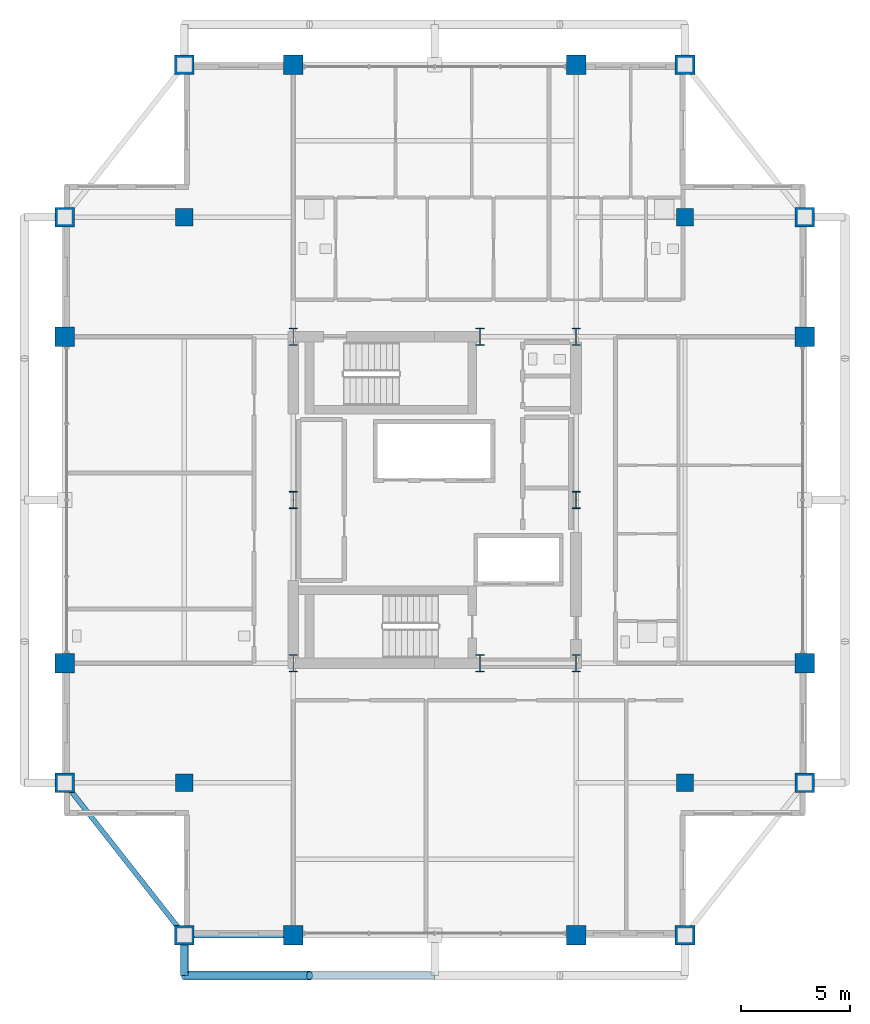
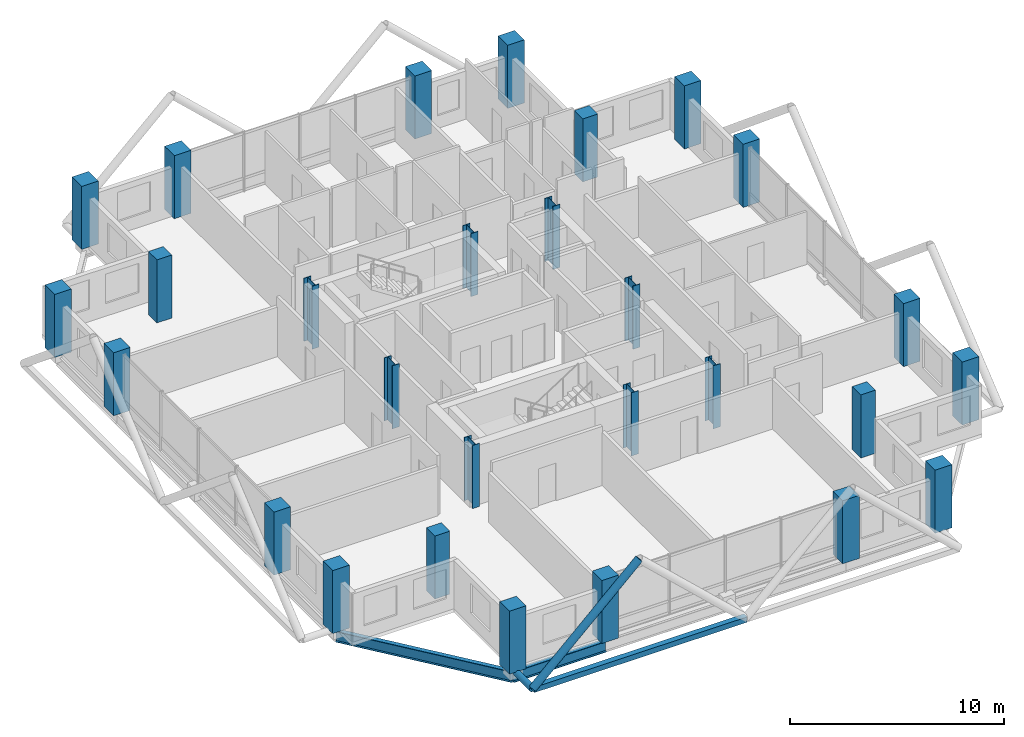
# One storey, part 1 of 24: 28 columns, 3 members, 2 beams.
"""IFC4 building model written with IfcOpenShell, lengths in metres."""

from ifc_helpers import new_model, si_unit, direction, frame, origin, origin_2d, place, context, subcontext, project, spatial, rectangle, hollow_rectangle, hollow_circle, i_section, extrude, material, material_profile, profile_set, type_object, element, save


model = new_model("IFC4")

# Units and contexts
model_context = context("Model", 3, precision=1e-05, world=origin(), true_north=direction((0.0, 1.0)))
body_context = subcontext(model_context, "Body", "Model", "MODEL_VIEW")
ifc_project = project(units=[si_unit("LENGTHUNIT", "METRE"), si_unit("AREAUNIT", "SQUARE_METRE"), si_unit("VOLUMEUNIT", "CUBIC_METRE"), si_unit("PLANEANGLEUNIT", "RADIAN"), si_unit("MASSUNIT", "GRAM", prefix="KILO")], contexts=[model_context])

# Site, building, storey
site_placement = place(None, origin())
site = spatial("IfcSite", under=ifc_project, at=site_placement, CompositionType="ELEMENT")
building_placement = place(site_placement, origin())
building = spatial("IfcBuilding", under=site, at=building_placement, Name="Barlavira Tower and Art Museum", CompositionType="ELEMENT")
storey_placement = place(building_placement, frame((0.0, 0.0, 283.5)))
storey = spatial("IfcBuildingStorey", under=building, at=storey_placement, Name="L74", CompositionType="ELEMENT", Elevation=283.5)

# Columns
ifc_material_1 = material(Name="Steel S355", Category="steel")
ifc_material_profile_1 = material_profile(ifc_material_1, i_section(OverallWidth=0.382080078125, OverallDepth=0.785888671875, WebThickness=0.02001953125, FlangeThickness=0.032958984375, at=origin_2d()), Name="W760x314.0")
ifc_profile_set_1 = profile_set([ifc_material_profile_1], Name="Steel S355")
column_type_1 = type_object("IfcColumnType", Name="Core Composite Column W760x314 Steel S355", PredefinedType="COLUMN", material=ifc_profile_set_1)
for number, where, z_axis, x_axis, name in (
    (1, (-6.5, -7.5, 0.0), (0.0, 0.0, 1.0), (1.0, 0.0, 0.0), "L74 Column CC-L74-C1"),
    (2, (2.080078125, -7.5, 0.0), (0.0, 0.0, 1.0), (1.0, 0.0, 0.0), "L74 Column CC-L74-C2"),
    (3, (6.5, -7.5, 0.0), (0.0, 0.0, 1.0), (1.0, 0.0, 0.0), "L74 Column CC-L74-C3"),
    (4, (-6.5, 0.0, 0.0), (0.0, 0.0, 1.0), (1.0, 0.0, 0.0), "L74 Column CC-L74-C4"),
    (5, (6.5, 0.0, 0.0), (0.0, 0.0, 1.0), (1.0, 0.0, 0.0), "L74 Column CC-L74-C5"),
    (6, (-6.5, 7.5, 0.0), (0.0, 0.0, 1.0), (1.0, 0.0, 0.0), "L74 Column CC-L74-C6"),
    (7, (2.080078125, 7.5, 0.0), (0.0, 0.0, 1.0), (1.0, 0.0, 0.0), "L74 Column CC-L74-C7"),
    (8, (6.5, 7.5, 0.0), (0.0, 0.0, 1.0), (1.0, 0.0, 0.0), "L74 Column CC-L74-C8"),
):
    element("IfcColumn", number, at=place(storey_placement, frame(where, z_axis=z_axis, x_axis=x_axis)), inside=storey, type_object=column_type_1, Name=name, PredefinedType="COLUMN", context=body_context, shape_type="SweptSolid", body=[
        extrude(i_section(OverallWidth=0.382080078125, OverallDepth=0.785888671875, WebThickness=0.02001953125, FlangeThickness=0.032958984375, at=origin_2d()), origin(), (0.0, 0.0, 1.0), 3.60009765625),
    ])
ifc_material_2 = material(Name="Concrete C50", Category="concrete")
ifc_material_profile_2 = material_profile(ifc_material_2, rectangle(XDim=0.89990234375, YDim=0.89990234375, at=origin_2d()), Name="RC-COL 900x900")
ifc_profile_set_2 = profile_set([ifc_material_profile_2], Name="Concrete C50")
column_type_2 = type_object("IfcColumnType", Name="Perimeter Mega Column 900x900 Concrete C50", PredefinedType="USERDEFINED", material=ifc_profile_set_2)
for number, where, z_axis, x_axis, name in (
    (9, (-11.5, -20.0, 0.0), (0.0, 0.0, 1.0), (1.0, 0.0, 0.0), "L74 Column MC-L74-M01"),
    (10, (-6.5, -20.0, 0.0), (0.0, 0.0, 1.0), (1.0, 0.0, 0.0), "L74 Column MC-L74-M02"),
    (11, (6.5, -20.0, 0.0), (0.0, 0.0, 1.0), (1.0, 0.0, 0.0), "L74 Column MC-L74-M03"),
    (12, (11.5, -20.0, 0.0), (0.0, 0.0, 1.0), (1.0, 0.0, 0.0), "L74 Column MC-L74-M04"),
    (13, (17.0, -13.0, 0.0), (0.0, 0.0, 1.0), (1.0, 0.0, 0.0), "L74 Column MC-L74-M05"),
    (14, (17.0, -7.5, 0.0), (0.0, 0.0, 1.0), (1.0, 0.0, 0.0), "L74 Column MC-L74-M06"),
    (15, (17.0, 7.5, 0.0), (0.0, 0.0, 1.0), (1.0, 0.0, 0.0), "L74 Column MC-L74-M07"),
    (16, (17.0, 13.0, 0.0), (0.0, 0.0, 1.0), (1.0, 0.0, 0.0), "L74 Column MC-L74-M08"),
    (17, (11.5, 20.0, 0.0), (0.0, 0.0, 1.0), (1.0, 0.0, 0.0), "L74 Column MC-L74-M09"),
    (18, (6.5, 20.0, 0.0), (0.0, 0.0, 1.0), (1.0, 0.0, 0.0), "L74 Column MC-L74-M10"),
    (19, (-6.5, 20.0, 0.0), (0.0, 0.0, 1.0), (1.0, 0.0, 0.0), "L74 Column MC-L74-M11"),
    (20, (-11.5, 20.0, 0.0), (0.0, 0.0, 1.0), (1.0, 0.0, 0.0), "L74 Column MC-L74-M12"),
    (21, (-17.0, 13.0, 0.0), (0.0, 0.0, 1.0), (1.0, 0.0, 0.0), "L74 Column MC-L74-M13"),
    (22, (-17.0, 7.5, 0.0), (0.0, 0.0, 1.0), (1.0, 0.0, 0.0), "L74 Column MC-L74-M14"),
    (23, (-17.0, -7.5, 0.0), (0.0, 0.0, 1.0), (1.0, 0.0, 0.0), "L74 Column MC-L74-M15"),
    (24, (-17.0, -13.0, 0.0), (0.0, 0.0, 1.0), (1.0, 0.0, 0.0), "L74 Column MC-L74-M16"),
):
    element("IfcColumn", number, at=place(storey_placement, frame(where, z_axis=z_axis, x_axis=x_axis)), inside=storey, type_object=column_type_2, Name=name, ObjectType="MEGA COLUMN", PredefinedType="USERDEFINED", context=body_context, shape_type="SweptSolid", body=[
        extrude(rectangle(XDim=0.89990234375, YDim=0.89990234375, at=origin_2d()), origin(), (0.0, 0.0, 1.0), 3.60009765625),
    ])
ifc_material_profile_3 = material_profile(ifc_material_2, rectangle(XDim=0.800048828125, YDim=0.800048828125, at=origin_2d()), Name="RC-COL 800x800")
ifc_profile_set_3 = profile_set([ifc_material_profile_3], Name="Concrete C50")
column_type_3 = type_object("IfcColumnType", Name="Podium Frame Column 800x800 Concrete C50", PredefinedType="COLUMN", material=ifc_profile_set_3)
for number, where, z_axis, x_axis, name in (
    (25, (-11.5, -13.0, 0.0), (0.0, 0.0, 1.0), (1.0, 0.0, 0.0), "L74 Column CI-L74-I1"),
    (26, (11.5, -13.0, 0.0), (0.0, 0.0, 1.0), (1.0, 0.0, 0.0), "L74 Column CI-L74-I2"),
    (27, (-11.5, 13.0, 0.0), (0.0, 0.0, 1.0), (1.0, 0.0, 0.0), "L74 Column CI-L74-I3"),
    (28, (11.5, 13.0, 0.0), (0.0, 0.0, 1.0), (1.0, 0.0, 0.0), "L74 Column CI-L74-I4"),
):
    element("IfcColumn", number, at=place(storey_placement, frame(where, z_axis=z_axis, x_axis=x_axis)), inside=storey, type_object=column_type_3, Name=name, PredefinedType="COLUMN", context=body_context, shape_type="SweptSolid", body=[
        extrude(rectangle(XDim=0.800048828125, YDim=0.800048828125, at=origin_2d()), origin(), (0.0, 0.0, 1.0), 3.60009765625),
    ])

# Members
ifc_material_profile_4 = material_profile(ifc_material_1, hollow_circle(Radius=0.203125, WallThickness=0.01611328125, at=origin_2d()), Name="CHS 406.4x16.0")
ifc_profile_set_4 = profile_set([ifc_material_profile_4], Name="Steel S355")
member_type_1 = type_object("IfcMemberType", Name="Pale-Metal Exoskeleton Diagrid Tube CHS 406x16 Steel S355", PredefinedType="BRACE", material=ifc_profile_set_4)
member_1_placement = place(storey_placement, frame((-11.5, -21.85009765625, -0.1201171875), z_axis=(0.728934650808, 0.0, 0.684583285548), x_axis=(0.0, 1.0, 0.0)))
element("IfcMember", 29, at=member_1_placement, inside=storey, type_object=member_type_1, Name="L74 Exoskeleton Diagrid Tube S", PredefinedType="BRACE", context=body_context, shape_type="SweptSolid", body=[
    extrude(hollow_circle(Radius=0.203125, WallThickness=0.01611328125, at=origin_2d()), origin(), (0.0, 0.0, 1.0), 7.88818359375),
])
ifc_material_profile_5 = material_profile(ifc_material_1, hollow_circle(Radius=0.177734375, WallThickness=0.01611328125, at=origin_2d()), Name="CHS 355.6x16.0")
ifc_profile_set_5 = profile_set([ifc_material_profile_5], Name="Steel S355")
member_type_2 = type_object("IfcMemberType", Name="Pale-Metal Exoskeleton Tie Strut CHS 356x16 Steel S355", PredefinedType="STRUT", material=ifc_profile_set_5)
member_2_placement = place(storey_placement, frame((-11.5, -21.85009765625, -0.1201171875), z_axis=(0.0, 1.0, 0.0), x_axis=(-1.0, 0.0, 0.0)))
element("IfcMember", 30, at=member_2_placement, inside=storey, type_object=member_type_2, Name="L74 Exoskeleton Tie Strut S1", PredefinedType="STRUT", context=body_context, shape_type="SweptSolid", body=[
    extrude(hollow_circle(Radius=0.177734375, WallThickness=0.01611328125, at=origin_2d()), origin(), (0.0, 0.0, 1.0), 1.85009765625),
])
ifc_material_profile_6 = material_profile(ifc_material_1, hollow_rectangle(XDim=0.300048828125, YDim=0.300048828125, WallThickness=0.01611328125, at=origin_2d()), Name="SHS 300x300x16.0")
ifc_profile_set_6 = profile_set([ifc_material_profile_6], Name="Steel S355")
member_type_3 = type_object("IfcMemberType", Name="Pale-Metal Upper Ring Strut SHS 300x300x16 Steel S355", PredefinedType="STRUT", material=ifc_profile_set_6)
member_3_placement = place(storey_placement, frame((-11.5, -21.85009765625, -0.1201171875), z_axis=(1.0, 0.0, 0.0), x_axis=(0.0, 1.0, 0.0)))
element("IfcMember", 31, at=member_3_placement, inside=storey, type_object=member_type_3, Name="L74 Exoskeleton Ring Strut S", PredefinedType="STRUT", context=body_context, shape_type="SweptSolid", body=[
    extrude(hollow_rectangle(XDim=0.300048828125, YDim=0.300048828125, WallThickness=0.01611328125, at=origin_2d()), origin(), (0.0, 0.0, 1.0), 11.5),
])

# Beams
ifc_material_profile_7 = material_profile(ifc_material_1, i_section(OverallWidth=0.22998046875, OverallDepth=0.616943359375, WebThickness=0.01318359375, FlangeThickness=0.022216796875, at=origin_2d()), Name="W610x140.0")
ifc_profile_set_7 = profile_set([ifc_material_profile_7], Name="Steel S355")
beam_type = type_object("IfcBeamType", Name="Upper Shaft Spandrel Edge Beam W610x140 Steel S355", PredefinedType="SPANDREL", material=ifc_profile_set_7)
beam_1_placement = place(storey_placement, frame((-11.5, -20.0, -0.528564453125), z_axis=(1.0, 0.0, 0.0), x_axis=(0.0, 1.0, 0.0)))
element("IfcBeam", 32, at=beam_1_placement, inside=storey, type_object=beam_type, Name="L74 Spandrel 1", PredefinedType="SPANDREL", context=body_context, shape_type="SweptSolid", body=[
    extrude(i_section(OverallWidth=0.22998046875, OverallDepth=0.616943359375, WebThickness=0.01318359375, FlangeThickness=0.022216796875, at=origin_2d()), origin(), (0.0, 0.0, 1.0), 5.0),
])
beam_2_placement = place(storey_placement, frame((-17.0, -13.0, -0.528564453125), z_axis=(0.617821551932, -0.786318338822, 0.0), x_axis=(0.786318338822, 0.617821551932, 0.0)))
element("IfcBeam", 33, at=beam_2_placement, inside=storey, type_object=beam_type, Name="L74 Spandrel 16", PredefinedType="SPANDREL", context=body_context, shape_type="SweptSolid", body=[
    extrude(i_section(OverallWidth=0.22998046875, OverallDepth=0.616943359375, WebThickness=0.01318359375, FlangeThickness=0.022216796875, at=origin_2d()), origin(), (0.0, 0.0, 1.0), 8.90234375),
])

save(model, "model.ifc")
